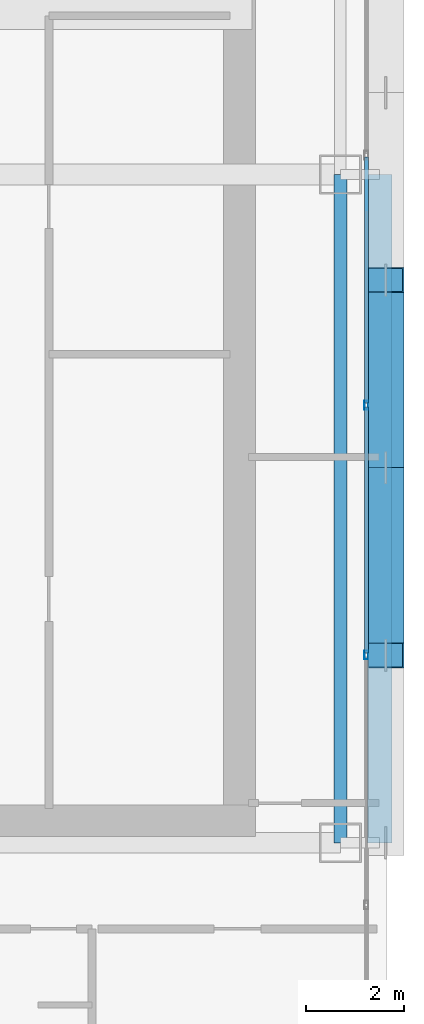
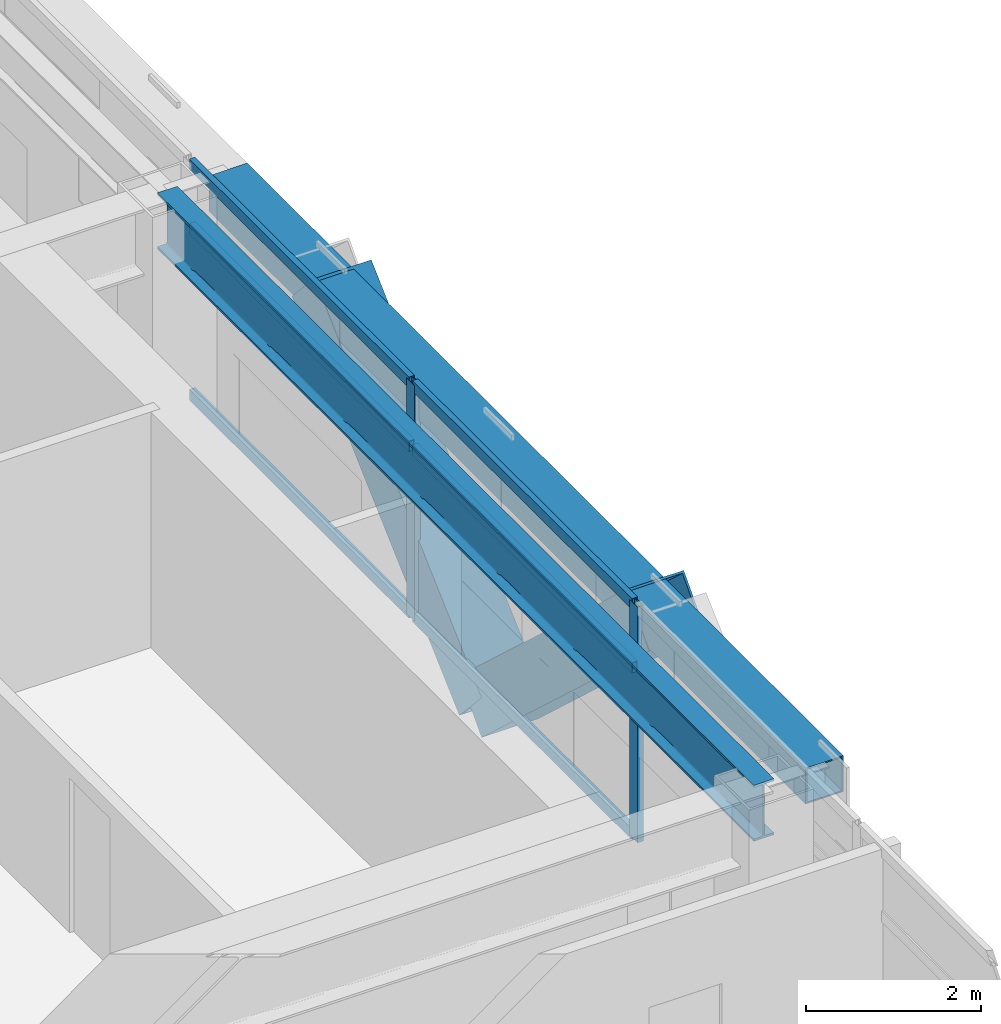
# One storey, part 13 of 36: 10 members, 2 beams, 1 element without a shape of its own.
"""IFC4 building model written with IfcOpenShell, lengths in metres."""

from ifc_helpers import new_model, si_unit, direction, frame, origin, origin_2d, place, context, subcontext, project, spatial, hollow_rectangle, i_section, extrude, source, transform, mapped, material, layer, layer_set, material_profile, profile_set, type_object, element, aggregate, save


model = new_model("IFC4")

# Units and contexts
model_context = context("Model", 3, precision=1e-05, world=origin(), true_north=direction((0.0, 1.0)))
body_context = subcontext(model_context, "Body", "Model", "MODEL_VIEW")
ifc_project = project(units=[si_unit("LENGTHUNIT", "METRE"), si_unit("AREAUNIT", "SQUARE_METRE"), si_unit("VOLUMEUNIT", "CUBIC_METRE"), si_unit("PLANEANGLEUNIT", "RADIAN"), si_unit("MASSUNIT", "GRAM", prefix="KILO")], contexts=[model_context])

# Site, building, storey
site_placement = place(None, origin())
site = spatial("IfcSite", under=ifc_project, at=site_placement, CompositionType="ELEMENT")
building_placement = place(site_placement, origin())
building = spatial("IfcBuilding", under=site, at=building_placement, Name="Ocotamira Hotel", CompositionType="ELEMENT")
storey_placement = place(building_placement, frame((0.0, 0.0, 147.60009765625)))
storey = spatial("IfcBuildingStorey", under=building, at=storey_placement, Name="L37", CompositionType="ELEMENT", Elevation=147.60009765625)

# Beams
ifc_material_1 = material(Name="Steel ASTM A992 Grade 50", Category="steel")
ifc_material_profile_1 = material_profile(ifc_material_1, i_section(OverallWidth=0.26611328125, OverallDepth=0.779052734375, WebThickness=0.0166015625, FlangeThickness=0.030029296875, FilletRadius=0.01806640625, at=origin_2d()), Name="W30X148")
ifc_profile_set_1 = profile_set([ifc_material_profile_1], Name="Steel ASTM A992 Grade 50")
beam_type_1 = type_object("IfcBeamType", Name="BM-GIRD-W30X148", PredefinedType="BEAM", material=ifc_profile_set_1)
shared_shape_1 = source(origin(), body_context, "Body", "SweptSolid", [
    extrude(i_section(OverallWidth=0.26611328125, OverallDepth=0.779052734375, WebThickness=0.0166015625, FlangeThickness=0.030029296875, FilletRadius=0.01806640625, at=origin_2d()), origin(), (0.0, 0.0, 1.0), 13.599853515625),
])
beam_1_placement = place(storey_placement, frame((55.050048828125, 14.550048828125, 2.890380859375), z_axis=(0.0, 1.0, 0.0), x_axis=(-1.0, 0.0, 0.0)))
element("IfcBeam", 1, at=beam_1_placement, inside=storey, type_object=beam_type_1, Name="L37 Beam X55.05 Y14.55-28.15", PredefinedType="BEAM", context=body_context, shape_type="MappedRepresentation", body=[
    mapped(shared_shape_1, transform((0.0, 0.0, 0.0), scale=1.0)),
])
ifc_material_2 = material(Name="Steel ASTM A500 Grade C", Category="steel")
ifc_material_profile_2 = material_profile(ifc_material_2, hollow_rectangle(XDim=0.5, YDim=0.5, WallThickness=0.02001953125, at=origin_2d()), Name="HSS500X500X20")
ifc_profile_set_2 = profile_set([ifc_material_profile_2], Name="Steel ASTM A500 Grade C")
beam_type_2 = type_object("IfcBeamType", Name="BM-SPAN-HSS500", PredefinedType="USERDEFINED", material=ifc_profile_set_2)
shared_shape_2 = source(origin(), body_context, "Body", "SweptSolid", [
    extrude(hollow_rectangle(XDim=0.5, YDim=0.5, WallThickness=0.02001953125, at=origin_2d()), origin(), (0.0, 0.0, 1.0), 13.599853515625),
])
beam_2_placement = place(storey_placement, frame((55.85009765625, 14.550048828125, 3.02978515625), z_axis=(0.0, 1.0, 0.0), x_axis=(-1.0, 0.0, 0.0)))
element("IfcBeam", 2, at=beam_2_placement, inside=storey, type_object=beam_type_2, Name="L37 Edge Spandrel E Y14.55-28.15", ObjectType="SPANDREL", PredefinedType="USERDEFINED", context=body_context, shape_type="MappedRepresentation", body=[
    mapped(shared_shape_2, transform((0.0, 0.0, 0.0), scale=1.0)),
])

# Members
ifc_material_3 = material(Name="Pale-metal coated steel ASTM A913 Grade 65", Category="steel")
ifc_material_profile_3 = material_profile(ifc_material_3, hollow_rectangle(XDim=0.75, YDim=0.75, WallThickness=0.028076171875, at=origin_2d()), Name="BOX750X750X28")
ifc_profile_set_3 = profile_set([ifc_material_profile_3], Name="Pale-metal coated steel ASTM A913 Grade 65")
member_type_1 = type_object("IfcMemberType", Name="MEM-EXO-BOX750", PredefinedType="BRACE", material=ifc_profile_set_3)
shared_shape_3 = source(origin(), body_context, "Body", "SweptSolid", [
    extrude(hollow_rectangle(XDim=0.75, YDim=0.75, WallThickness=0.028076171875, at=origin_2d()), origin(), (0.0, 0.0, 1.0), 5.19189453125),
])
for number, where, z_axis, x_axis, name in (
    (3, (55.969970703125, 22.183349609375, -0.489990234375), (0.0, -0.735118858477, 0.677938244909), (1.0, 0.0, 0.0), "L37 Exoskeleton Diagrid E0.2"),
    (4, (55.969970703125, 22.183349609375, -0.489990234375), (0.0, 0.735118858477, 0.677938244909), (-1.0, 0.0, 0.0), "L37 Exoskeleton Diagrid E1.1"),
):
    element("IfcMember", number, at=place(storey_placement, frame(where, z_axis=z_axis, x_axis=x_axis)), inside=storey, type_object=member_type_1, Name=name, PredefinedType="BRACE", context=body_context, shape_type="MappedRepresentation", body=[
        mapped(shared_shape_3, transform((0.0, 0.0, 0.0), scale=1.0)),
    ])

# Curtain wall, members
ifc_material_4 = material(Name="Anodised pale-metal aluminium and solar glass", Category="aluminium")
ifc_layer = layer(ifc_material_4, 0.179931640625)
ifc_layer_set = layer_set([ifc_layer], Name="Anodised pale-metal aluminium and solar glass")
curtain_wall_type = type_object("IfcCurtainWallType", Name="CW-SYS3-Z2", PredefinedType="NOTDEFINED", material=ifc_layer_set)
curtain_wall_placement = place(storey_placement, origin())
curtain_wall = element("IfcCurtainWall", 5, at=curtain_wall_placement, inside=storey, type_object=curtain_wall_type, Name="L37 Curtain Wall CW-3 CW-L37-E", PredefinedType="NOTDEFINED")
ifc_material_5 = material(Name="Anodised pale-metal aluminium 6063-T6", Category="aluminium")
ifc_material_profile_4 = material_profile(ifc_material_5, hollow_rectangle(XDim=0.074951171875, YDim=0.14990234375, WallThickness=0.006103515625, at=origin_2d()), Name="HSS150X75X6")
ifc_profile_set_4 = profile_set([ifc_material_profile_4], Name="Anodised pale-metal aluminium 6063-T6")
member_type_2 = type_object("IfcMemberType", Name="CWT-150X75", PredefinedType="USERDEFINED", material=ifc_profile_set_4)
shared_shape_4 = source(origin(), body_context, "Body", "SweptSolid", [
    extrude(hollow_rectangle(XDim=0.074951171875, YDim=0.14990234375, WallThickness=0.006103515625, at=origin_2d()), origin(), (0.0, 0.0, 1.0), 5.005859375),
])
member_1_placement = place(storey_placement, frame((55.580078125, 18.411376953125, 0.037353515625), z_axis=(0.0, 1.0, 0.0), x_axis=(-1.0, 0.0, 0.0)))
member_1 = element("IfcMember", 6, at=member_1_placement, type_object=member_type_2, Name="CW-3 transom 3.1", ObjectType="TRANSOM", PredefinedType="USERDEFINED", context=body_context, shape_type="MappedRepresentation", body=[
    mapped(shared_shape_4, transform((0.0, 0.0, 0.0), scale=1.0)),
])
member_2_placement = place(storey_placement, frame((55.580078125, 18.411376953125, 2.349853515625), z_axis=(0.0, 1.0, 0.0), x_axis=(-1.0, 0.0, 0.0)))
member_2 = element("IfcMember", 7, at=member_2_placement, type_object=member_type_2, Name="CW-3 transom 3.2", ObjectType="TRANSOM", PredefinedType="USERDEFINED", context=body_context, shape_type="MappedRepresentation", body=[
    mapped(shared_shape_4, transform((0.0, 0.0, 0.0), scale=1.0)),
])
member_3_placement = place(storey_placement, frame((55.580078125, 18.411376953125, 3.242431640625), z_axis=(0.0, 1.0, 0.0), x_axis=(-1.0, 0.0, 0.0)))
member_3 = element("IfcMember", 8, at=member_3_placement, type_object=member_type_2, Name="CW-3 transom 3.3", ObjectType="TRANSOM", PredefinedType="USERDEFINED", context=body_context, shape_type="MappedRepresentation", body=[
    mapped(shared_shape_4, transform((0.0, 0.0, 0.0), scale=1.0)),
])
member_4_placement = place(storey_placement, frame((55.580078125, 23.4970703125, 0.037353515625), z_axis=(0.0, 1.0, 0.0), x_axis=(-1.0, 0.0, 0.0)))
member_4 = element("IfcMember", 9, at=member_4_placement, type_object=member_type_2, Name="CW-3 transom 4.1", ObjectType="TRANSOM", PredefinedType="USERDEFINED", context=body_context, shape_type="MappedRepresentation", body=[
    mapped(shared_shape_4, transform((0.0, 0.0, 0.0), scale=1.0)),
])
member_5_placement = place(storey_placement, frame((55.580078125, 23.4970703125, 2.349853515625), z_axis=(0.0, 1.0, 0.0), x_axis=(-1.0, 0.0, 0.0)))
member_5 = element("IfcMember", 10, at=member_5_placement, type_object=member_type_2, Name="CW-3 transom 4.2", ObjectType="TRANSOM", PredefinedType="USERDEFINED", context=body_context, shape_type="MappedRepresentation", body=[
    mapped(shared_shape_4, transform((0.0, 0.0, 0.0), scale=1.0)),
])
member_6_placement = place(storey_placement, frame((55.580078125, 23.4970703125, 3.242431640625), z_axis=(0.0, 1.0, 0.0), x_axis=(-1.0, 0.0, 0.0)))
member_6 = element("IfcMember", 11, at=member_6_placement, type_object=member_type_2, Name="CW-3 transom 4.3", ObjectType="TRANSOM", PredefinedType="USERDEFINED", context=body_context, shape_type="MappedRepresentation", body=[
    mapped(shared_shape_4, transform((0.0, 0.0, 0.0), scale=1.0)),
])
ifc_material_profile_5 = material_profile(ifc_material_5, hollow_rectangle(XDim=0.080078125, YDim=0.179931640625, WallThickness=0.006103515625, at=origin_2d()), Name="HSS180X80X6")
ifc_profile_set_5 = profile_set([ifc_material_profile_5], Name="Anodised pale-metal aluminium 6063-T6")
member_type_3 = type_object("IfcMemberType", Name="CWM-180X75", PredefinedType="MULLION", material=ifc_profile_set_5)
shared_shape_5 = source(origin(), body_context, "Body", "SweptSolid", [
    extrude(hollow_rectangle(XDim=0.080078125, YDim=0.179931640625, WallThickness=0.006103515625, at=origin_2d()), origin(), (0.0, 0.0, 1.0), 3.27978515625),
])
member_7_placement = place(storey_placement, frame((55.580078125, 18.371337890625, 0.0), z_axis=(0.0, 0.0, 1.0), x_axis=(-1.0, 0.0, 0.0)))
member_7 = element("IfcMember", 12, at=member_7_placement, type_object=member_type_3, Name="CW-3 mullion 3", PredefinedType="MULLION", context=body_context, shape_type="MappedRepresentation", body=[
    mapped(shared_shape_5, transform((0.0, 0.0, 0.0), scale=1.0)),
])
member_8_placement = place(storey_placement, frame((55.580078125, 23.45703125, 0.0), z_axis=(0.0, 0.0, 1.0), x_axis=(-1.0, 0.0, 0.0)))
member_8 = element("IfcMember", 13, at=member_8_placement, type_object=member_type_3, Name="CW-3 mullion 4", PredefinedType="MULLION", context=body_context, shape_type="MappedRepresentation", body=[
    mapped(shared_shape_5, transform((0.0, 0.0, 0.0), scale=1.0)),
])
aggregate(curtain_wall, [member_7, member_8, member_1, member_2, member_3, member_4, member_5, member_6])

save(model, "model.ifc")
